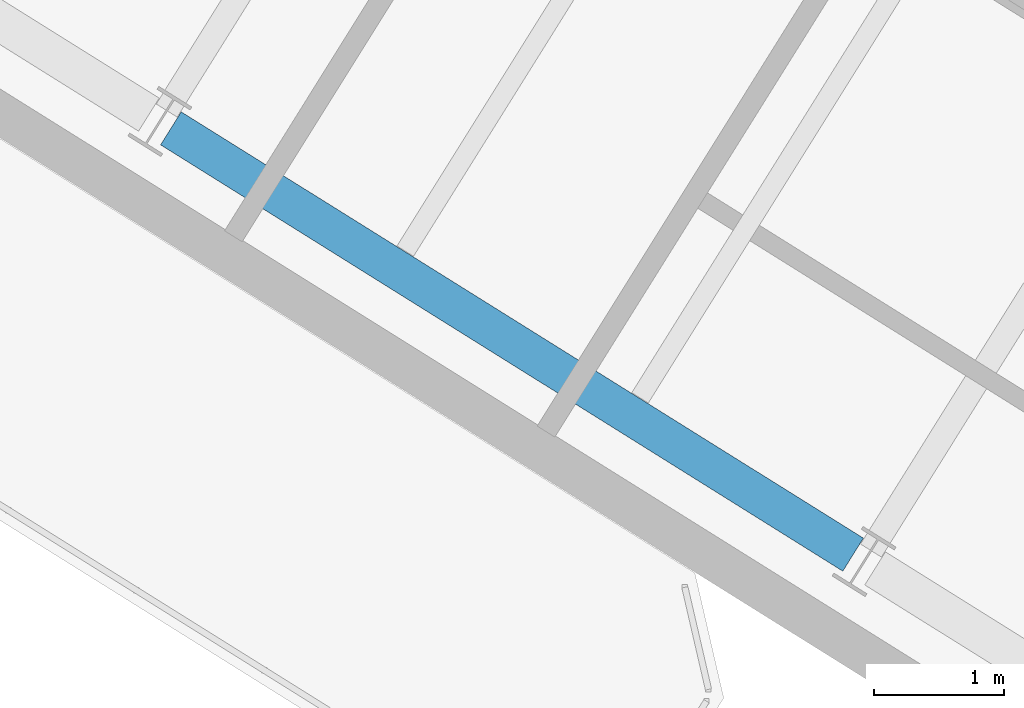
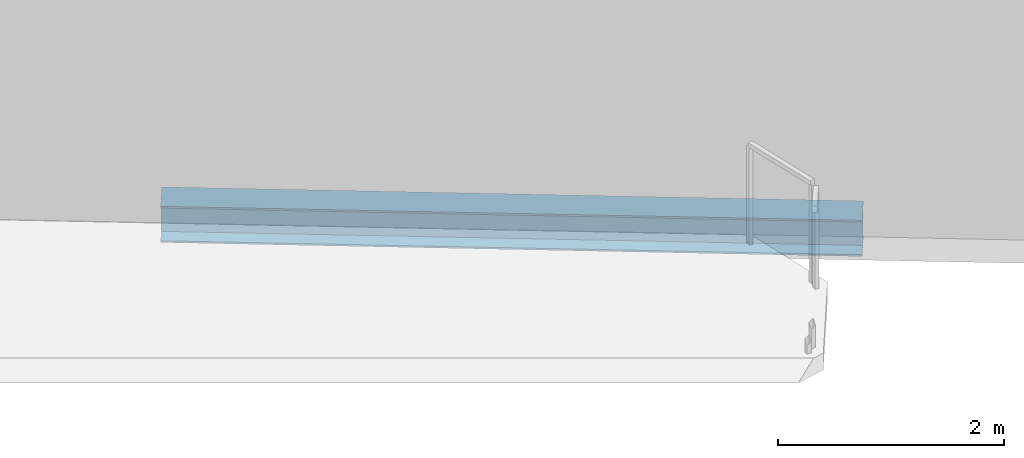
# One storey, part 5 of 25: 1 beam.
"""IFC4 building model written with IfcOpenShell, lengths in metres."""

from ifc_helpers import new_model, si_unit, direction, frame, origin, origin_2d, place, context, subcontext, project, spatial, i_section, extrude, source, transform, mapped, material, material_profile, profile_set, type_object, element, save


model = new_model("IFC4")

# Units and contexts
model_context = context("Model", 3, precision=1e-05, world=origin(), true_north=direction((0.0, 1.0)))
body_context = subcontext(model_context, "Body", "Model", "MODEL_VIEW")
ifc_project = project(units=[si_unit("LENGTHUNIT", "METRE"), si_unit("AREAUNIT", "SQUARE_METRE"), si_unit("VOLUMEUNIT", "CUBIC_METRE"), si_unit("PLANEANGLEUNIT", "RADIAN"), si_unit("MASSUNIT", "GRAM", prefix="KILO")], contexts=[model_context])

# Site, building, storey
site_placement = place(None, origin())
site = spatial("IfcSite", under=ifc_project, at=site_placement, CompositionType="ELEMENT")
building_placement = place(site_placement, origin())
building = spatial("IfcBuilding", under=site, at=building_placement, Name="Tlacorven Tower", CompositionType="ELEMENT")
storey_placement = place(building_placement, frame((0.0, 0.0, 251.10009765625)))
storey = spatial("IfcBuildingStorey", under=building, at=storey_placement, Name="L63", CompositionType="ELEMENT", Elevation=251.10009765625)

# Beam
ifc_material = material(Name="Steel S355J2", Category="steel")
ifc_material_profile = material_profile(ifc_material, i_section(OverallWidth=0.300048828125, OverallDepth=0.389892578125, WebThickness=0.010986328125, FlangeThickness=0.01904296875, at=origin_2d()), Name="HEA 400")
ifc_profile_set = profile_set([ifc_material_profile], Name="Steel S355J2")
beam_type = type_object("IfcBeamType", Name="BM-SPN-400", PredefinedType="SPANDREL", material=ifc_profile_set)
shared_shape = source(origin(), body_context, "Body", "SweptSolid", [
    extrude(i_section(OverallWidth=0.300048828125, OverallDepth=0.389892578125, WebThickness=0.010986328125, FlangeThickness=0.01904296875, at=origin_2d()), origin(), (0.0, 0.0, 1.0), 6.199951171875),
])
beam_placement = place(storey_placement, frame((18.82080078125, 13.6650390625, -0.445068359375), z_axis=(-0.848051394107, 0.529913986372, 0.0), x_axis=(-0.529913986372, -0.848051394107, 0.0)))
element("IfcBeam", 1, at=beam_placement, inside=storey, type_object=beam_type, Name="L63 beam BM-L63-WL4-3", PredefinedType="SPANDREL", context=body_context, shape_type="MappedRepresentation", body=[
    mapped(shared_shape, transform((0.0, 0.0, 0.0), scale=1.0)),
])

save(model, "model.ifc")
